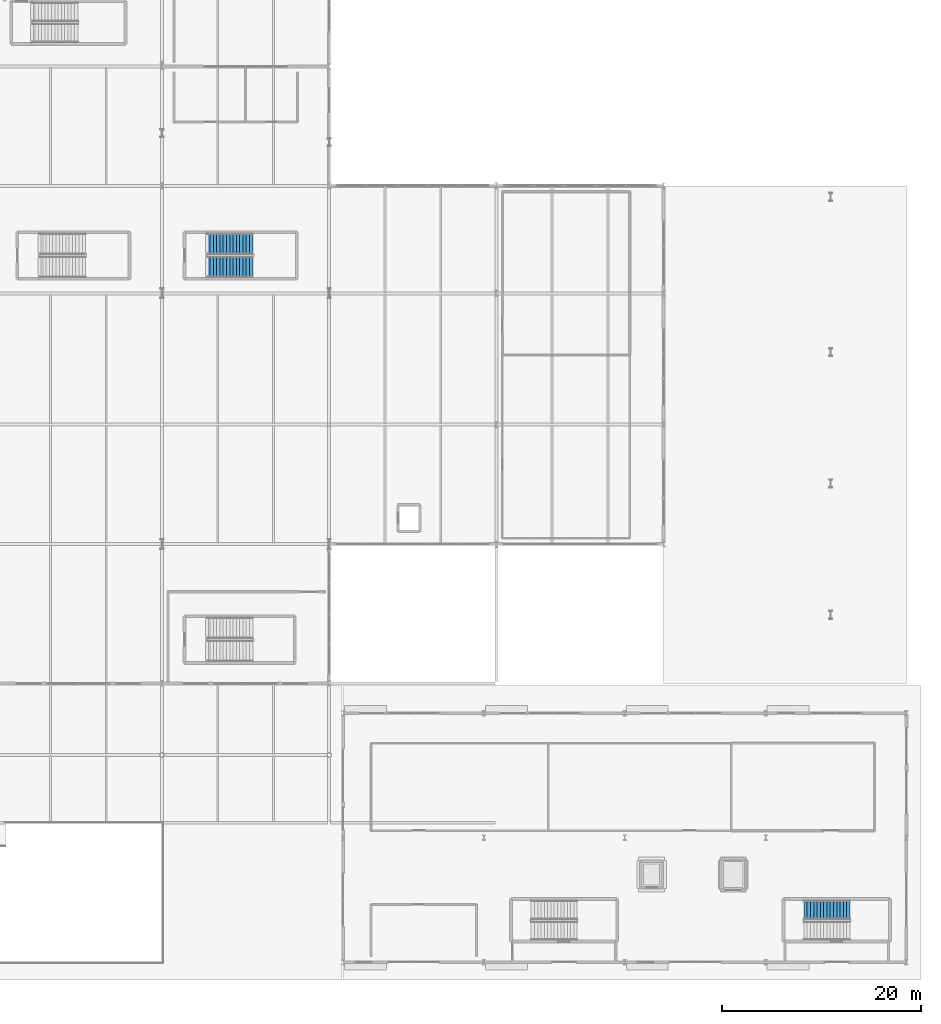
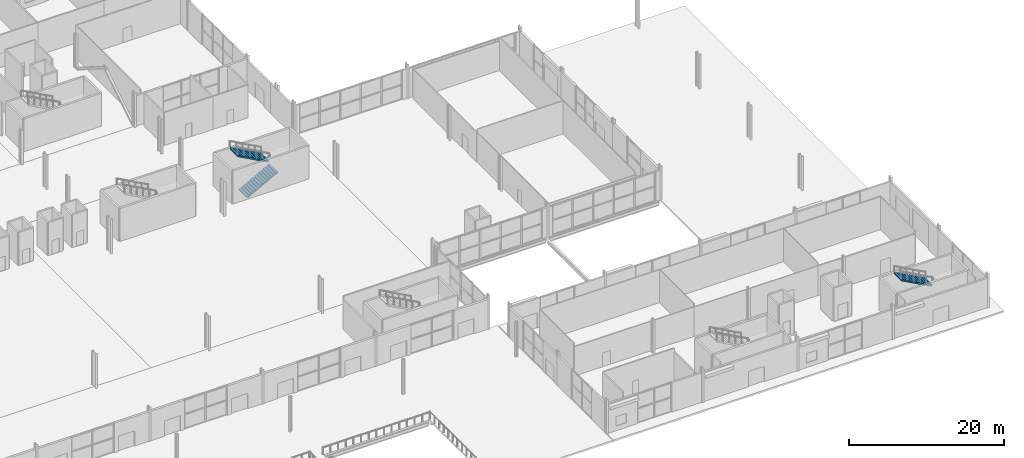
# One storey, part 72 of 87: 3 stair flights, 2 elements without a shape of their own.
"""IFC4 building model written with IfcOpenShell, lengths in metres."""

from ifc_helpers import new_model, si_unit, direction, frame, origin, place, context, subcontext, project, spatial, polyline, outline, extrude, material, type_object, element, aggregate, save


model = new_model("IFC4")

# Units and contexts
model_context = context("Model", 3, precision=1e-05, world=origin(), true_north=direction((0.0, 1.0)))
body_context = subcontext(model_context, "Body", "Model", "MODEL_VIEW")
ifc_project = project(units=[si_unit("LENGTHUNIT", "METRE"), si_unit("AREAUNIT", "SQUARE_METRE"), si_unit("VOLUMEUNIT", "CUBIC_METRE"), si_unit("PLANEANGLEUNIT", "RADIAN"), si_unit("MASSUNIT", "GRAM", prefix="KILO")], contexts=[model_context])

# Site, building, storey
site_placement = place(None, origin())
site = spatial("IfcSite", under=ifc_project, at=site_placement, CompositionType="ELEMENT")
building_placement = place(site_placement, origin())
building = spatial("IfcBuilding", under=site, at=building_placement, Name="Kimbaza Rail Terminus", CompositionType="ELEMENT")
storey_placement = place(building_placement, origin())
storey = spatial("IfcBuildingStorey", under=building, at=storey_placement, Name="L00", CompositionType="ELEMENT", Elevation=0.0)

# Stair, stair flights
ifc_material_1 = material(Name="Concrete C40/50", Category="concrete")
stair_type_1 = type_object("IfcStairType", Name="ARC-STR-06", PredefinedType="HALF_TURN_STAIR", material=ifc_material_1)
stair_1_placement = place(storey_placement, origin())
stair_1 = element("IfcStair", 1, at=stair_1_placement, inside=storey, type_object=stair_type_1, Name="L00 Platform East Concourse Stair", PredefinedType="HALF_TURN_STAIR")
ifc_material_2 = material(Name="Concrete C40/50", Category="concrete")
stair_flight_type_1 = type_object("IfcStairFlightType", Name="ARC-SFL-06", PredefinedType="STRAIGHT", material=ifc_material_2)
stair_flight_1_placement = place(storey_placement, frame((143.699951171875, 82.85009765625, 0.0), z_axis=(0.0, 0.0, 1.0), x_axis=(1.0, 0.0, 0.0)))
stair_flight_1 = element("IfcStairFlight", 2, at=stair_flight_1_placement, type_object=stair_flight_type_1, Name="ST-C2 flight 1", NumberOfRisers=15, NumberOfTreads=14, PredefinedType="STRAIGHT", RiserHeight=0.18, TreadLength=0.33, context=body_context, shape_type="SweptSolid", body=[
    extrude(outline(polyline([(0.0, 0.0), (0.0, 0.179931640625), (0.330078125, 0.179931640625), (0.330078125, 0.360107421875), (0.659912109375, 0.360107421875), (0.659912109375, 0.5400390625), (0.989990234375, 0.5400390625), (0.989990234375, 0.719970703125), (1.320068359375, 0.719970703125), (1.320068359375, 0.89990234375), (1.64990234375, 0.89990234375), (1.64990234375, 1.080078125), (1.97998046875, 1.080078125), (1.97998046875, 1.260009765625), (2.31005859375, 1.260009765625), (2.31005859375, 1.43994140625), (2.639892578125, 1.43994140625), (2.639892578125, 1.6201171875), (2.969970703125, 1.6201171875), (2.969970703125, 1.800048828125), (3.300048828125, 1.800048828125), (3.300048828125, 1.97998046875), (3.6298828125, 1.97998046875), (3.6298828125, 2.159912109375), (3.9599609375, 2.159912109375), (3.9599609375, 2.340087890625), (4.2900390625, 2.340087890625), (4.2900390625, 2.52001953125), (4.6201171875, 2.52001953125), (4.6201171875, 2.699951171875), (4.6201171875, 2.349365234375), (0.31298828125, 0.0), (0.0, 0.0)])), frame((0.0, 1.050048828125, 0.0), z_axis=(0.0, -1.0, 0.0), x_axis=(1.0, 0.0, 0.0)), (0.0, 0.0, 1.0), 2.10009765625),
])
stair_flight_2_placement = place(storey_placement, frame((148.320068359375, 85.14990234375, 2.699951171875), z_axis=(0.0, 0.0, 1.0), x_axis=(-1.0, 0.0, 0.0)))
stair_flight_2 = element("IfcStairFlight", 3, at=stair_flight_2_placement, type_object=stair_flight_type_1, Name="ST-C2 flight 2", NumberOfRisers=15, NumberOfTreads=14, PredefinedType="STRAIGHT", RiserHeight=0.18, TreadLength=0.33, context=body_context, shape_type="SweptSolid", body=[
    extrude(outline(polyline([(0.0, 0.0), (0.0, 0.179931640625), (0.330078125, 0.179931640625), (0.330078125, 0.360107421875), (0.659912109375, 0.360107421875), (0.659912109375, 0.5400390625), (0.989990234375, 0.5400390625), (0.989990234375, 0.719970703125), (1.320068359375, 0.719970703125), (1.320068359375, 0.89990234375), (1.64990234375, 0.89990234375), (1.64990234375, 1.080078125), (1.97998046875, 1.080078125), (1.97998046875, 1.260009765625), (2.31005859375, 1.260009765625), (2.31005859375, 1.43994140625), (2.639892578125, 1.43994140625), (2.639892578125, 1.6201171875), (2.969970703125, 1.6201171875), (2.969970703125, 1.800048828125), (3.300048828125, 1.800048828125), (3.300048828125, 1.97998046875), (3.6298828125, 1.97998046875), (3.6298828125, 2.159912109375), (3.9599609375, 2.159912109375), (3.9599609375, 2.340087890625), (4.2900390625, 2.340087890625), (4.2900390625, 2.52001953125), (4.6201171875, 2.52001953125), (4.6201171875, 2.699951171875), (4.6201171875, 2.349365234375), (0.31298828125, 0.0), (0.0, 0.0)])), frame((0.0, 1.050048828125, 0.0), z_axis=(0.0, -1.0, 0.0), x_axis=(1.0, 0.0, 0.0)), (0.0, 0.0, 1.0), 2.10009765625),
])
aggregate(stair_1, [stair_flight_1, stair_flight_2])

# Stair, stair flight
ifc_material_3 = material(Name="Concrete C40/50", Category="concrete")
stair_type_2 = type_object("IfcStairType", Name="ARC-STR-07", PredefinedType="HALF_TURN_STAIR", material=ifc_material_3)
stair_2_placement = place(storey_placement, origin())
stair_2 = element("IfcStair", 4, at=stair_2_placement, inside=storey, type_object=stair_type_2, Name="L00 Retail Pavilion East Stair", PredefinedType="HALF_TURN_STAIR")
ifc_material_4 = material(Name="Concrete C40/50", Category="concrete")
stair_flight_type_2 = type_object("IfcStairFlightType", Name="ARC-SFL-07", PredefinedType="STRAIGHT", material=ifc_material_4)
stair_flight_3_placement = place(storey_placement, frame((208.320068359375, 18.25, 2.699951171875), z_axis=(0.0, 0.0, 1.0), x_axis=(-1.0, 0.0, 0.0)))
stair_flight_3 = element("IfcStairFlight", 5, at=stair_flight_3_placement, type_object=stair_flight_type_2, Name="ST-P2 flight 2", NumberOfRisers=15, NumberOfTreads=14, PredefinedType="STRAIGHT", RiserHeight=0.18, TreadLength=0.33, context=body_context, shape_type="SweptSolid", body=[
    extrude(outline(polyline([(0.0, 0.0), (0.0, 0.179931640625), (0.330078125, 0.179931640625), (0.330078125, 0.360107421875), (0.659912109375, 0.360107421875), (0.659912109375, 0.5400390625), (0.989990234375, 0.5400390625), (0.989990234375, 0.719970703125), (1.320068359375, 0.719970703125), (1.320068359375, 0.89990234375), (1.64990234375, 0.89990234375), (1.64990234375, 1.080078125), (1.97998046875, 1.080078125), (1.97998046875, 1.260009765625), (2.31005859375, 1.260009765625), (2.31005859375, 1.43994140625), (2.639892578125, 1.43994140625), (2.639892578125, 1.6201171875), (2.969970703125, 1.6201171875), (2.969970703125, 1.800048828125), (3.300048828125, 1.800048828125), (3.300048828125, 1.97998046875), (3.6298828125, 1.97998046875), (3.6298828125, 2.159912109375), (3.9599609375, 2.159912109375), (3.9599609375, 2.340087890625), (4.2900390625, 2.340087890625), (4.2900390625, 2.52001953125), (4.6201171875, 2.52001953125), (4.6201171875, 2.699951171875), (4.6201171875, 2.349365234375), (0.31298828125, 0.0), (0.0, 0.0)])), frame((0.0, 0.949951171875, 0.0), z_axis=(0.0, -1.0, 0.0), x_axis=(1.0, 0.0, 0.0)), (0.0, 0.0, 1.0), 1.89990234375),
])
aggregate(stair_2, [stair_flight_3])

save(model, "model.ifc")
